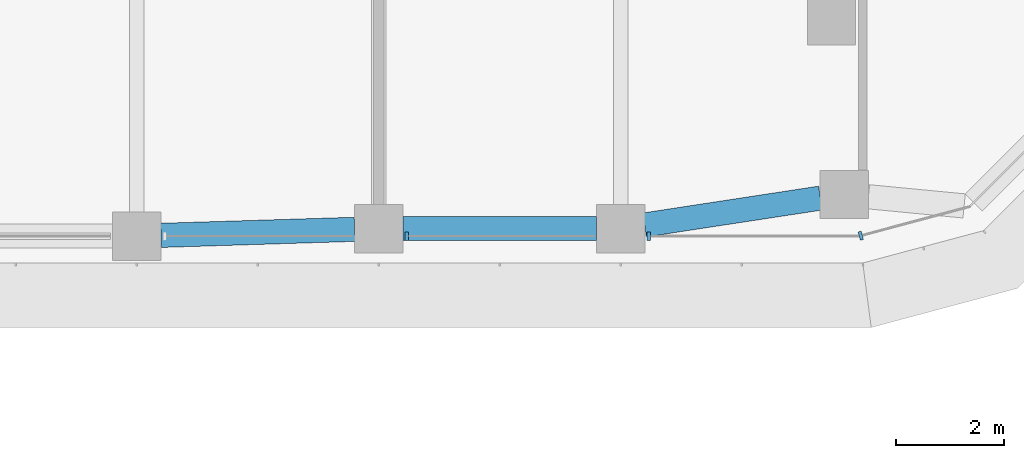
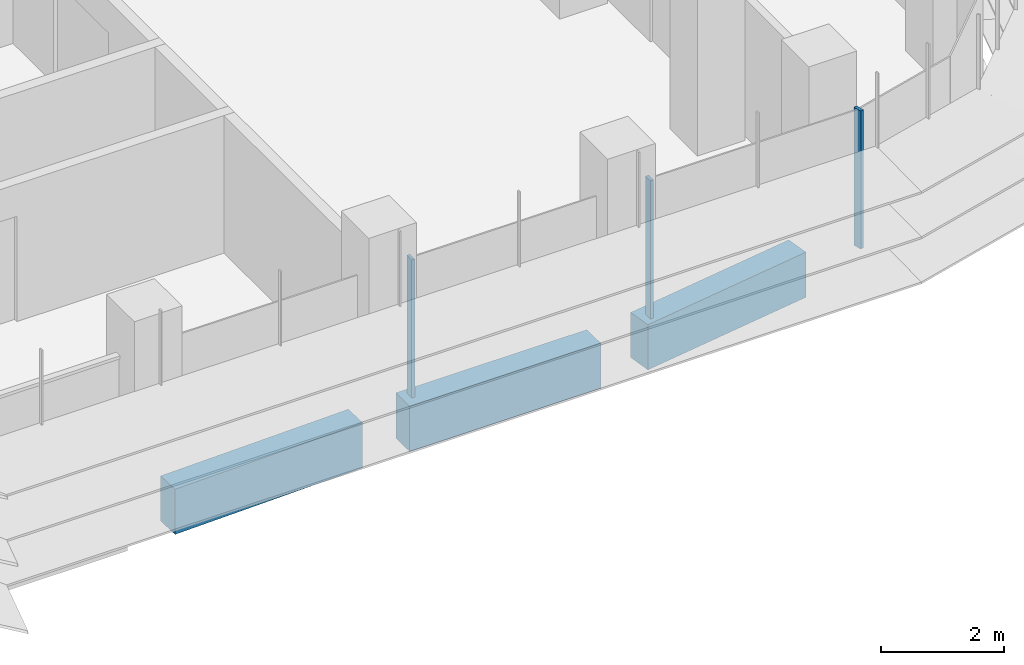
# One storey, part 5 of 22: 3 beams, 3 members, 2 elements without a shape of their own.
"""IFC4 building model written with IfcOpenShell, lengths in metres."""

from ifc_helpers import new_model, si_unit, direction, frame, origin, origin_2d, place, context, subcontext, project, spatial, polyline, rectangle, outline, extrude, source, transform, mapped, material, material_profile, profile_set, type_object, element, aggregate, save


model = new_model("IFC4")

# Units and contexts
model_context = context("Model", 3, precision=1e-05, world=origin(), true_north=direction((0.0, 1.0)))
body_context = subcontext(model_context, "Body", "Model", "MODEL_VIEW")
ifc_project = project(units=[si_unit("LENGTHUNIT", "METRE"), si_unit("AREAUNIT", "SQUARE_METRE"), si_unit("VOLUMEUNIT", "CUBIC_METRE"), si_unit("PLANEANGLEUNIT", "RADIAN"), si_unit("MASSUNIT", "GRAM", prefix="KILO")], contexts=[model_context])

# Site, building, storey
site_placement = place(None, origin())
site = spatial("IfcSite", under=ifc_project, at=site_placement, CompositionType="ELEMENT")
building_placement = place(site_placement, origin())
building = spatial("IfcBuilding", under=site, at=building_placement, Name="Zarbagh Exchange Tower", CompositionType="ELEMENT")
storey_placement = place(building_placement, frame((0.0, 0.0, 105.60009765625)))
storey = spatial("IfcBuildingStorey", under=building, at=storey_placement, Name="L24", CompositionType="ELEMENT", Elevation=105.60009765625)

# Beams
ifc_material_1 = material(Name="Concrete C60/75", Category="concrete")
ifc_material_profile = material_profile(ifc_material_1, rectangle(XDim=0.449951171875, YDim=0.89990234375, at=origin_2d()), Name="RC spandrel beam 450 x 900 C60/75")
ifc_profile_set = profile_set([ifc_material_profile], Name="Concrete C60/75")
beam_type = type_object("IfcBeamType", Name="RC spandrel beam 450 x 900 C60/75", PredefinedType="SPANDREL", material=ifc_profile_set)
beam_1_placement = place(storey_placement, frame((28.463134765625, -5.54296875, -0.60009765625), z_axis=(-0.988543505948, -0.150936201252, 0.0), x_axis=(0.150936201252, -0.988543505948, 0.0)))
element("IfcBeam", 1, at=beam_1_placement, inside=storey, type_object=beam_type, Name="RC spandrel beam", PredefinedType="SPANDREL", context=body_context, shape_type="SweptSolid", body=[
    extrude(rectangle(XDim=0.449951171875, YDim=0.89990234375, at=origin_2d()), origin(), (0.0, 0.0, 1.0), 3.30615234375),
])
beam_2_placement = place(storey_placement, frame((24.300048828125, -6.110107421875, -0.60009765625), z_axis=(-1.0, 0.0, 0.0), x_axis=(0.0, -1.0, 0.0)))
element("IfcBeam", 2, at=beam_2_placement, inside=storey, type_object=beam_type, Name="RC spandrel beam", PredefinedType="SPANDREL", context=body_context, shape_type="SweptSolid", body=[
    extrude(rectangle(XDim=0.449951171875, YDim=0.89990234375, at=origin_2d()), origin(), (0.0, 0.0, 1.0), 3.60009765625),
])
beam_3_placement = place(storey_placement, frame((19.80029296875, -6.1240234375, -0.60009765625), z_axis=(-0.999516035224, -0.031107801747, 0.0), x_axis=(0.031107801747, -0.999516035224, 0.0)))
element("IfcBeam", 3, at=beam_3_placement, inside=storey, type_object=beam_type, Name="RC spandrel beam", PredefinedType="SPANDREL", context=body_context, shape_type="SweptSolid", body=[
    extrude(rectangle(XDim=0.449951171875, YDim=0.89990234375, at=origin_2d()), origin(), (0.0, 0.0, 1.0), 3.602294921875),
])

# Curtain wall, members
ifc_material_2 = material(Name="Anodised aluminium frame and glazing", Category="aluminium")
curtain_wall_type = type_object("IfcCurtainWallType", Name="CWA Ribbon glazing, lower zones", PredefinedType="NOTDEFINED", material=ifc_material_2)
curtain_wall_1_placement = place(storey_placement, origin())
curtain_wall_1 = element("IfcCurtainWall", 4, at=curtain_wall_1_placement, inside=storey, type_object=curtain_wall_type, Name="CWA08 curtain wall", PredefinedType="NOTDEFINED")
ifc_material_3 = material(Name="Anodised aluminium frame", Category="aluminium")
member_type = type_object("IfcMemberType", Name="MUA Mullion, anodised aluminium frame", PredefinedType="MULLION", material=ifc_material_3)
shared_shape = source(origin(), body_context, "Body", "SweptSolid", [
    extrude(outline(polyline([(0.0, -0.080078125), (0.06005859375, -0.080078125), (0.06005859375, 0.080078125), (0.0, 0.080078125), (0.0, -0.080078125)])), origin(), (0.0, 0.0, 1.0), 2.75),
])
placement = place(storey_placement, origin())
member_1 = element("IfcMember", 5, at=placement, type_object=member_type, Name="CWA08 mullion 3.1", PredefinedType="MULLION", context=body_context, shape_type="MappedRepresentation", body=[
    mapped(shared_shape, transform((20.739990234375, -6.25, 0.0), x_axis=(1.0, 0.0, 0.0), y_axis=(0.0, 1.0, 0.0), z_axis=(0.0, 0.0, 1.0))),
])
member_2 = element("IfcMember", 6, at=placement, type_object=member_type, Name="CWA08 mullion 4.1", PredefinedType="MULLION", context=body_context, shape_type="MappedRepresentation", body=[
    mapped(shared_shape, transform((25.239990234375, -6.25, 0.0), x_axis=(1.0, 0.0, 0.0), y_axis=(0.0, 1.0, 0.0), z_axis=(0.0, 0.0, 1.0))),
])
aggregate(curtain_wall_1, [member_1, member_2])

# Curtain wall, member
curtain_wall_2_placement = place(storey_placement, origin())
curtain_wall_2 = element("IfcCurtainWall", 7, at=curtain_wall_2_placement, inside=storey, type_object=curtain_wall_type, Name="CWA09 curtain wall", PredefinedType="NOTDEFINED")
member_3 = element("IfcMember", 8, at=placement, type_object=member_type, Name="CWA09 mullion 1.1", PredefinedType="MULLION", context=body_context, shape_type="MappedRepresentation", body=[
    mapped(shared_shape, transform((29.18408203125, -6.25, 0.0), x_axis=(0.965924289636, 0.258824779902, 0.0), y_axis=(-0.258824779902, 0.965924289636, 0.0), z_axis=(0.0, 0.0, 1.0))),
])
aggregate(curtain_wall_2, [member_3])

save(model, "model.ifc")
